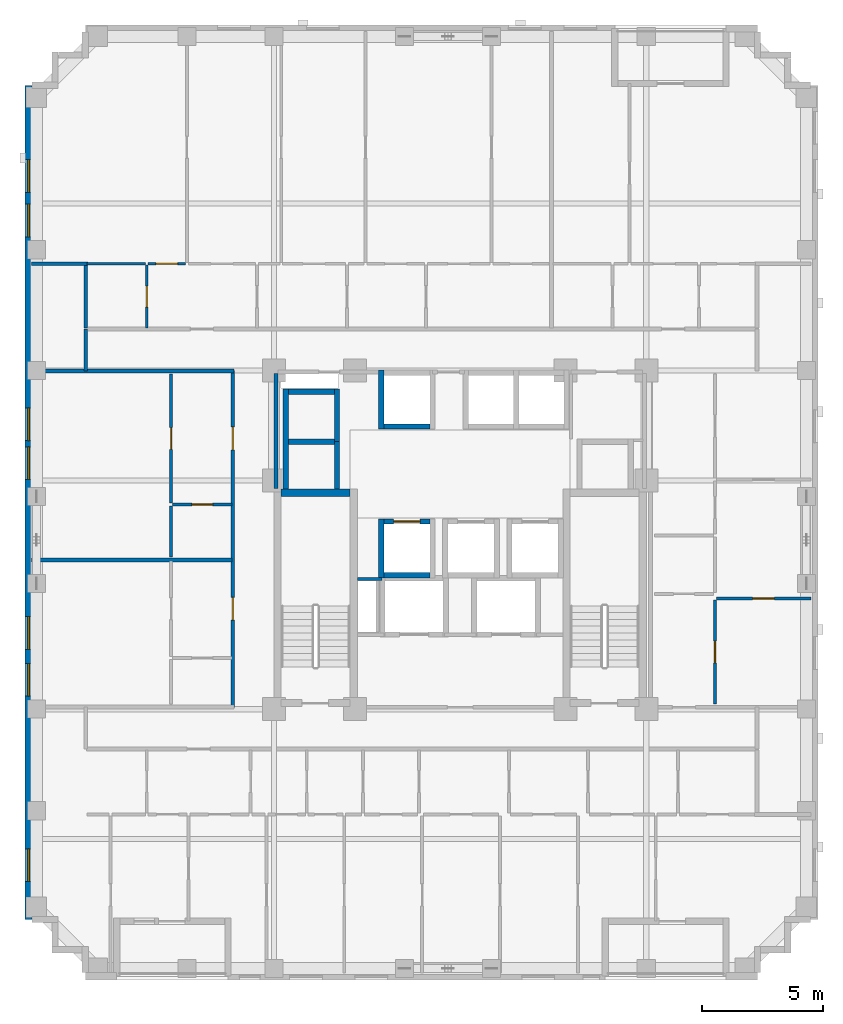
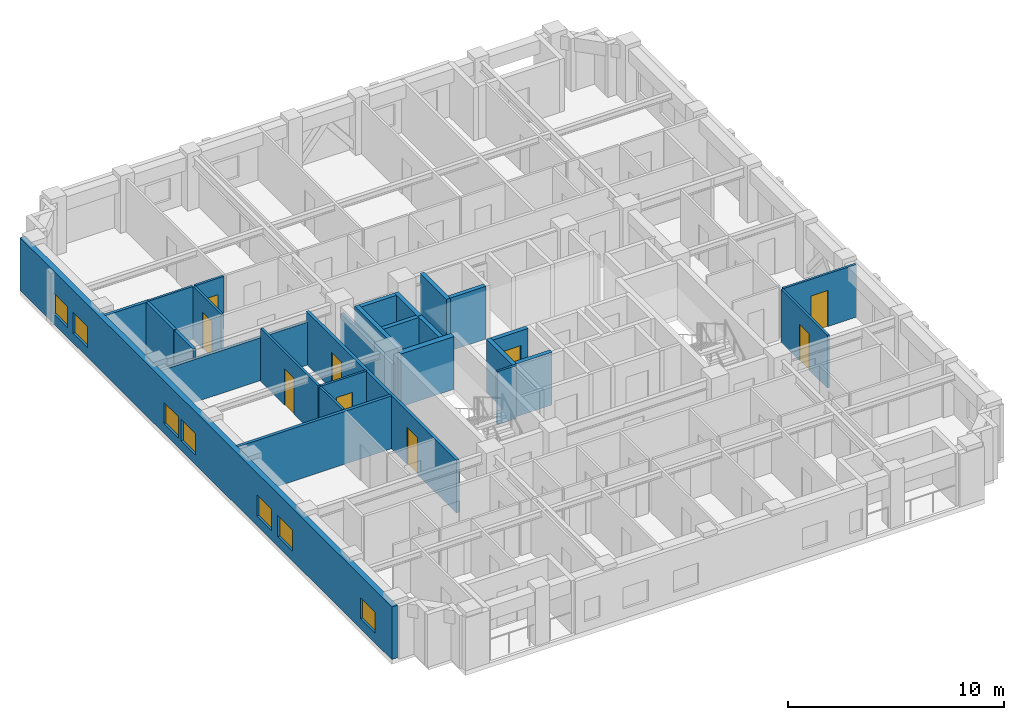
# One storey, part 5 of 12: 28 walls, 9 doors, 7 windows, 16 openings.
"""IFC4 building model written with IfcOpenShell, lengths in metres."""

from ifc_helpers import new_model, si_unit, derived_unit, direction, frame, frame_2d, origin, place, context, subcontext, project, spatial, rectangle, extrude, material, layer, layer_set, type_object, element, fill, save


model = new_model("IFC4")

# Units and contexts
model_context = context("Model", 3, precision=1e-05, world=origin(), true_north=direction((0.0, 1.0)))
body_context = subcontext(model_context, "Body", "Model", "MODEL_VIEW")
ifc_project = project(units=[si_unit("LENGTHUNIT", "METRE"), si_unit("AREAUNIT", "SQUARE_METRE"), si_unit("VOLUMEUNIT", "CUBIC_METRE"), si_unit("PLANEANGLEUNIT", "RADIAN"), si_unit("MASSUNIT", "GRAM", prefix="KILO"), derived_unit("THERMALTRANSMITTANCEUNIT", [(si_unit("MASSUNIT", "GRAM", prefix="KILO"), 1), (si_unit("TIMEUNIT", "SECOND"), -3), (si_unit("THERMODYNAMICTEMPERATUREUNIT", "KELVIN"), -1)])], contexts=[model_context])

# Site, building, storey
site_placement = place(None, origin())
site = spatial("IfcSite", under=ifc_project, at=site_placement, CompositionType="ELEMENT")
building_placement = place(site_placement, origin())
building = spatial("IfcBuilding", under=site, at=building_placement, Name="Korrvale Station Residences", CompositionType="ELEMENT")
storey_placement = place(building_placement, frame((0.0, 0.0, 127.64990234375)))
storey = spatial("IfcBuildingStorey", under=building, at=storey_placement, Name="L36", CompositionType="ELEMENT", Elevation=127.64990234375)

# Wall
ifc_material_1 = material(Name="Concrete C60/75", Category="concrete")
ifc_layer_1 = layer(ifc_material_1, 0.300048828125, Name="Concrete C60/75")
ifc_layer_set_1 = layer_set([ifc_layer_1], Name="Concrete C60/75")
wall_type_1 = type_object("IfcWallType", Name="WAL-CORE-300-C60", PredefinedType="SHEAR", material=ifc_layer_set_1)
wall_1_placement = place(storey_placement, frame((18.10009765625, 23.949951171875, 0.0), z_axis=(0.0, 0.0, 1.0), x_axis=(1.0, 0.0, 0.0)))
element("IfcWall", 1, at=wall_1_placement, inside=storey, type_object=wall_type_1, Name="L36 ST-1 Core Shear Wall North", PredefinedType="SHEAR", context=body_context, shape_type="SweptSolid", body=[
    extrude(rectangle(XDim=2.849853515625, YDim=0.300048828125, at=frame_2d((1.4248046875, 0.0))), origin(), (0.0, 0.0, 1.0), 2.989990234375),
])

# Wall, openings, windows
ifc_material_2 = material(Name="Precast concrete C45/55", Category="concrete")
ifc_layer_2 = layer(ifc_material_2, 0.300048828125, Name="Precast concrete C45/55")
ifc_layer_set_2 = layer_set([ifc_layer_2], Name="Precast concrete C45/55")
wall_type_2 = type_object("IfcWallType", Name="WAL-EXT-PC300", PredefinedType="SOLIDWALL", material=ifc_layer_set_2)
wall_2_placement = place(storey_placement, frame((7.64990234375, 6.300048828125, 0.0), z_axis=(0.0, 0.0, 1.0), x_axis=(0.0, 1.0, 0.0)))
wall_2 = element("IfcWall", 2, at=wall_2_placement, inside=storey, type_object=wall_type_2, Name="L36 West Exterior Precast Wall 1", PredefinedType="SOLIDWALL", context=body_context, shape_type="SweptSolid", body=[
    extrude(rectangle(XDim=34.5, YDim=0.300048828125, at=frame_2d((17.25, 0.0))), origin(), (0.0, 0.0, 1.0), 2.989990234375),
])
opening_1_placement = place(wall_2_placement, frame((1.574951171875, 0.0, 0.550048828125)))
opening_1 = element("IfcOpeningElement", 3, at=opening_1_placement, cuts=wall_2, Name="Opening W-10", PredefinedType="OPENING", context=body_context, shape_type="SweptSolid", body=[
    extrude(rectangle(XDim=1.35009765625, YDim=1.199951171875, at=frame_2d((0.675048828125, 0.60009765625))), frame((0.0, 0.16015625, 0.0), z_axis=(0.0, -1.0, 0.0), x_axis=(1.0, 0.0, 0.0)), (0.0, 0.0, 1.0), 0.320068359375),
])
opening_2_placement = place(wall_2_placement, frame((30.074951171875, 0.0, 0.550048828125)))
opening_2 = element("IfcOpeningElement", 4, at=opening_2_placement, cuts=wall_2, Name="Opening W-10", PredefinedType="OPENING", context=body_context, shape_type="SweptSolid", body=[
    extrude(rectangle(XDim=1.35009765625, YDim=1.199951171875, at=frame_2d((0.675048828125, 0.60009765625))), frame((0.0, 0.16015625, 0.0), z_axis=(0.0, -1.0, 0.0), x_axis=(1.0, 0.0, 0.0)), (0.0, 0.0, 1.0), 0.320068359375),
])
opening_3_placement = place(wall_2_placement, frame((28.235107421875, 0.0, 0.550048828125)))
opening_3 = element("IfcOpeningElement", 5, at=opening_3_placement, cuts=wall_2, Name="Opening W-10", PredefinedType="OPENING", context=body_context, shape_type="SweptSolid", body=[
    extrude(rectangle(XDim=1.35009765625, YDim=1.199951171875, at=frame_2d((0.675048828125, 0.60009765625))), frame((0.0, 0.16015625, 0.0), z_axis=(0.0, -1.0, 0.0), x_axis=(1.0, 0.0, 0.0)), (0.0, 0.0, 1.0), 0.320068359375),
])
opening_4_placement = place(wall_2_placement, frame((11.175048828125, 0.0, 0.550048828125)))
opening_4 = element("IfcOpeningElement", 6, at=opening_4_placement, cuts=wall_2, Name="Opening W-10", PredefinedType="OPENING", context=body_context, shape_type="SweptSolid", body=[
    extrude(rectangle(XDim=1.35009765625, YDim=1.199951171875, at=frame_2d((0.675048828125, 0.60009765625))), frame((0.0, 0.16015625, 0.0), z_axis=(0.0, -1.0, 0.0), x_axis=(1.0, 0.0, 0.0)), (0.0, 0.0, 1.0), 0.320068359375),
])
opening_5_placement = place(wall_2_placement, frame((9.235107421875, 0.0, 0.550048828125)))
opening_5 = element("IfcOpeningElement", 7, at=opening_5_placement, cuts=wall_2, Name="Opening W-10", PredefinedType="OPENING", context=body_context, shape_type="SweptSolid", body=[
    extrude(rectangle(XDim=1.35009765625, YDim=1.199951171875, at=frame_2d((0.675048828125, 0.60009765625))), frame((0.0, 0.16015625, 0.0), z_axis=(0.0, -1.0, 0.0), x_axis=(1.0, 0.0, 0.0)), (0.0, 0.0, 1.0), 0.320068359375),
])
opening_6_placement = place(wall_2_placement, frame((18.199951171875, 0.0, 0.550048828125)))
opening_6 = element("IfcOpeningElement", 8, at=opening_6_placement, cuts=wall_2, Name="Opening W-10", PredefinedType="OPENING", context=body_context, shape_type="SweptSolid", body=[
    extrude(rectangle(XDim=1.35009765625, YDim=1.199951171875, at=frame_2d((0.675048828125, 0.60009765625))), frame((0.0, 0.16015625, 0.0), z_axis=(0.0, -1.0, 0.0), x_axis=(1.0, 0.0, 0.0)), (0.0, 0.0, 1.0), 0.320068359375),
])
opening_7_placement = place(wall_2_placement, frame((19.81005859375, 0.0, 0.550048828125)))
opening_7 = element("IfcOpeningElement", 9, at=opening_7_placement, cuts=wall_2, Name="Opening W-10", PredefinedType="OPENING", context=body_context, shape_type="SweptSolid", body=[
    extrude(rectangle(XDim=1.35009765625, YDim=1.199951171875, at=frame_2d((0.675048828125, 0.60009765625))), frame((0.0, 0.16015625, 0.0), z_axis=(0.0, -1.0, 0.0), x_axis=(1.0, 0.0, 0.0)), (0.0, 0.0, 1.0), 0.320068359375),
])
ifc_material_3 = material(Name="Thermally broken aluminium frame with triple low-e glazing", Category="aluminium")
window_type = type_object("IfcWindowType", Name="WIN-W10", PartitioningType="SINGLE_PANEL", PredefinedType="WINDOW", material=ifc_material_3)
window_1_placement = place(opening_1_placement, origin())
window_1 = element("IfcWindow", 10, at=window_1_placement, inside=storey, type_object=window_type, Name="L36 Punched Window 01", OverallHeight=1.199951171875, OverallWidth=1.35009765625, PartitioningType="SINGLE_PANEL", PredefinedType="WINDOW", context=body_context, shape_type="SweptSolid", body=[
    extrude(rectangle(XDim=1.35009765625, YDim=1.199951171875, at=frame_2d((0.675048828125, 0.60009765625))), frame((0.0, 0.030029296875, 0.0), z_axis=(0.0, -1.0, 0.0), x_axis=(1.0, 0.0, 0.0)), (0.0, 0.0, 1.0), 0.06005859375),
])
fill(opening_1, window_1)
window_2_placement = place(opening_2_placement, origin())
window_2 = element("IfcWindow", 11, at=window_2_placement, inside=storey, type_object=window_type, Name="L36 Punched Window 09", OverallHeight=1.199951171875, OverallWidth=1.35009765625, PartitioningType="SINGLE_PANEL", PredefinedType="WINDOW", context=body_context, shape_type="SweptSolid", body=[
    extrude(rectangle(XDim=1.35009765625, YDim=1.199951171875, at=frame_2d((0.675048828125, 0.60009765625))), frame((0.0, 0.030029296875, 0.0), z_axis=(0.0, -1.0, 0.0), x_axis=(1.0, 0.0, 0.0)), (0.0, 0.0, 1.0), 0.06005859375),
])
fill(opening_2, window_2)
window_3_placement = place(opening_3_placement, origin())
window_3 = element("IfcWindow", 12, at=window_3_placement, inside=storey, type_object=window_type, Name="L36 Punched Window 10", OverallHeight=1.199951171875, OverallWidth=1.35009765625, PartitioningType="SINGLE_PANEL", PredefinedType="WINDOW", context=body_context, shape_type="SweptSolid", body=[
    extrude(rectangle(XDim=1.35009765625, YDim=1.199951171875, at=frame_2d((0.675048828125, 0.60009765625))), frame((0.0, 0.030029296875, 0.0), z_axis=(0.0, -1.0, 0.0), x_axis=(1.0, 0.0, 0.0)), (0.0, 0.0, 1.0), 0.06005859375),
])
fill(opening_3, window_3)
window_4_placement = place(opening_4_placement, origin())
window_4 = element("IfcWindow", 13, at=window_4_placement, inside=storey, type_object=window_type, Name="L36 Punched Window 17", OverallHeight=1.199951171875, OverallWidth=1.35009765625, PartitioningType="SINGLE_PANEL", PredefinedType="WINDOW", context=body_context, shape_type="SweptSolid", body=[
    extrude(rectangle(XDim=1.35009765625, YDim=1.199951171875, at=frame_2d((0.675048828125, 0.60009765625))), frame((0.0, 0.030029296875, 0.0), z_axis=(0.0, -1.0, 0.0), x_axis=(1.0, 0.0, 0.0)), (0.0, 0.0, 1.0), 0.06005859375),
])
fill(opening_4, window_4)
window_5_placement = place(opening_5_placement, origin())
window_5 = element("IfcWindow", 14, at=window_5_placement, inside=storey, type_object=window_type, Name="L36 Punched Window 18", OverallHeight=1.199951171875, OverallWidth=1.35009765625, PartitioningType="SINGLE_PANEL", PredefinedType="WINDOW", context=body_context, shape_type="SweptSolid", body=[
    extrude(rectangle(XDim=1.35009765625, YDim=1.199951171875, at=frame_2d((0.675048828125, 0.60009765625))), frame((0.0, 0.030029296875, 0.0), z_axis=(0.0, -1.0, 0.0), x_axis=(1.0, 0.0, 0.0)), (0.0, 0.0, 1.0), 0.06005859375),
])
fill(opening_5, window_5)
window_6_placement = place(opening_6_placement, origin())
window_6 = element("IfcWindow", 15, at=window_6_placement, inside=storey, type_object=window_type, Name="L36 Punched Window 19", OverallHeight=1.199951171875, OverallWidth=1.35009765625, PartitioningType="SINGLE_PANEL", PredefinedType="WINDOW", context=body_context, shape_type="SweptSolid", body=[
    extrude(rectangle(XDim=1.35009765625, YDim=1.199951171875, at=frame_2d((0.675048828125, 0.60009765625))), frame((0.0, 0.030029296875, 0.0), z_axis=(0.0, -1.0, 0.0), x_axis=(1.0, 0.0, 0.0)), (0.0, 0.0, 1.0), 0.06005859375),
])
fill(opening_6, window_6)
window_7_placement = place(opening_7_placement, origin())
window_7 = element("IfcWindow", 16, at=window_7_placement, inside=storey, type_object=window_type, Name="L36 Punched Window 20", OverallHeight=1.199951171875, OverallWidth=1.35009765625, PartitioningType="SINGLE_PANEL", PredefinedType="WINDOW", context=body_context, shape_type="SweptSolid", body=[
    extrude(rectangle(XDim=1.35009765625, YDim=1.199951171875, at=frame_2d((0.675048828125, 0.60009765625))), frame((0.0, 0.030029296875, 0.0), z_axis=(0.0, -1.0, 0.0), x_axis=(1.0, 0.0, 0.0)), (0.0, 0.0, 1.0), 0.06005859375),
])
fill(opening_7, window_7)

# Wall
ifc_material_4 = material(Name="Acoustic steel-stud gypsum board partition", Category="steel")
ifc_layer_3 = layer(ifc_material_4, 0.1201171875, Name="Acoustic steel-stud gypsum board partition")
ifc_layer_set_3 = layer_set([ifc_layer_3], Name="Acoustic steel-stud gypsum board partition")
wall_type_3 = type_object("IfcWallType", Name="WAL-PART-125", PredefinedType="PARTITIONING", material=ifc_layer_set_3)
wall_3_placement = place(storey_placement, frame((22.280029296875, 20.3798828125, 0.0), z_axis=(0.0, 0.0, 1.0), x_axis=(-1.0, 0.0, 0.0)))
element("IfcWall", 17, at=wall_3_placement, inside=storey, type_object=wall_type_3, Name="L36 Core Partition CW-RSWT-N", PredefinedType="PARTITIONING", context=body_context, shape_type="SweptSolid", body=[
    extrude(rectangle(XDim=1.02001953125, YDim=0.1201171875, at=frame_2d((0.510009765625, 0.0))), origin(), (0.0, 0.0, 1.0), 2.989990234375),
])

# Wall, opening, door
wall_4_placement = place(storey_placement, frame((12.5400390625, 30.760009765625, 0.0), z_axis=(0.0, 0.0, 1.0), x_axis=(0.0, 1.0, 0.0)))
wall_4 = element("IfcWall", 18, at=wall_4_placement, inside=storey, type_object=wall_type_3, Name="L36 Suite Partition U02-V01", PredefinedType="PARTITIONING", context=body_context, shape_type="SweptSolid", body=[
    extrude(rectangle(XDim=2.60009765625, YDim=0.1201171875, at=frame_2d((1.300048828125, 0.0))), origin(), (0.0, 0.0, 1.0), 2.989990234375),
])
opening_8_placement = place(wall_4_placement, frame((0.8701171875, 0.0, 0.0)))
opening_8 = element("IfcOpeningElement", 19, at=opening_8_placement, cuts=wall_4, Name="Opening DB-860", PredefinedType="OPENING", context=body_context, shape_type="SweptSolid", body=[
    extrude(rectangle(XDim=0.860107421875, YDim=2.050048828125, at=frame_2d((0.43017578125, 1.02490234375))), frame((0.0, 0.070068359375, 0.0), z_axis=(0.0, -1.0, 0.0), x_axis=(1.0, 0.0, 0.0)), (0.0, 0.0, 1.0), 0.14013671875),
])
ifc_material_5 = material(Name="Moisture-resistant solid-core bathroom door", Category="timber")
door_type_1 = type_object("IfcDoorType", Name="DR-BATH-860", OperationType="NOTDEFINED", PredefinedType="DOOR", material=ifc_material_5)
door_1_placement = place(opening_8_placement, origin())
door_1 = element("IfcDoor", 20, at=door_1_placement, inside=storey, type_object=door_type_1, Name="L36 Apartment 1BR L36-U02 Bathroom Door", OperationType="SINGLE_SWING_LEFT", OverallHeight=2.050048828125, OverallWidth=0.860107421875, PredefinedType="DOOR", context=body_context, shape_type="SweptSolid", body=[
    extrude(rectangle(XDim=0.860107421875, YDim=2.050048828125, at=frame_2d((0.43017578125, 1.02490234375))), frame((0.0, 0.02490234375, 0.0), z_axis=(0.0, -1.0, 0.0), x_axis=(1.0, 0.0, 0.0)), (0.0, 0.0, 1.0), 0.050048828125),
])
fill(opening_8, door_1)

# Wall
wall_5_placement = place(storey_placement, frame((10.080078125, 33.419921875, 0.0), z_axis=(0.0, 0.0, 1.0), x_axis=(1.0, 0.0, 0.0)))
element("IfcWall", 21, at=wall_5_placement, inside=storey, type_object=wall_type_3, Name="L36 Suite Partition U02-H05", PredefinedType="PARTITIONING", context=body_context, shape_type="SweptSolid", body=[
    extrude(rectangle(XDim=2.39990234375, YDim=0.1201171875, at=frame_2d((1.199951171875, 0.0))), origin(), (0.0, 0.0, 1.0), 2.989990234375),
])

# Wall, opening, door
wall_6_placement = place(storey_placement, frame((12.60009765625, 33.419921875, 0.0), z_axis=(0.0, 0.0, 1.0), x_axis=(1.0, 0.0, 0.0)))
wall_6 = element("IfcWall", 22, at=wall_6_placement, inside=storey, type_object=wall_type_3, Name="L36 Suite Partition U02-H15", PredefinedType="PARTITIONING", context=body_context, shape_type="SweptSolid", body=[
    extrude(rectangle(XDim=1.539794921875, YDim=0.1201171875, at=frame_2d((0.77001953125, 0.0))), origin(), (0.0, 0.0, 1.0), 2.989990234375),
])
opening_9_placement = place(wall_6_placement, frame((0.320068359375, 0.0, 0.0)))
opening_9 = element("IfcOpeningElement", 23, at=opening_9_placement, cuts=wall_6, Name="Opening DI-900", PredefinedType="OPENING", context=body_context, shape_type="SweptSolid", body=[
    extrude(rectangle(XDim=0.89990234375, YDim=2.050048828125, at=frame_2d((0.449951171875, 1.02490234375))), frame((0.0, 0.070068359375, 0.0), z_axis=(0.0, -1.0, 0.0), x_axis=(1.0, 0.0, 0.0)), (0.0, 0.0, 1.0), 0.14013671875),
])
ifc_material_6 = material(Name="Painted solid-core timber interior room door", Category="wood")
door_type_2 = type_object("IfcDoorType", Name="DR-INT-900", OperationType="NOTDEFINED", PredefinedType="DOOR", material=ifc_material_6)
door_2_placement = place(opening_9_placement, origin())
door_2 = element("IfcDoor", 24, at=door_2_placement, inside=storey, type_object=door_type_2, Name="L36 Apartment 1BR L36-U02 Kitchen Door", OperationType="SINGLE_SWING_LEFT", OverallHeight=2.050048828125, OverallWidth=0.89990234375, PredefinedType="DOOR", context=body_context, shape_type="SweptSolid", body=[
    extrude(rectangle(XDim=0.89990234375, YDim=2.050048828125, at=frame_2d((0.449951171875, 1.02490234375))), frame((0.0, 0.02490234375, 0.0), z_axis=(0.0, -1.0, 0.0), x_axis=(1.0, 0.0, 0.0)), (0.0, 0.0, 1.0), 0.050048828125),
])
fill(opening_9, door_2)

wall_7_placement = place(storey_placement, frame((13.610107421875, 23.467041015625, 0.0), z_axis=(0.0, 0.0, 1.0), x_axis=(1.0, 0.0, 0.0)))
wall_7 = element("IfcWall", 25, at=wall_7_placement, inside=storey, type_object=wall_type_3, Name="L36 Suite Partition U05-H01", PredefinedType="PARTITIONING", context=body_context, shape_type="SweptSolid", body=[
    extrude(rectangle(XDim=2.449951171875, YDim=0.1201171875, at=frame_2d((1.22509765625, 0.0))), origin(), (0.0, 0.0, 1.0), 2.989990234375),
])
opening_10_placement = place(wall_7_placement, frame((0.794921875, 0.0, 0.0)))
opening_10 = element("IfcOpeningElement", 26, at=opening_10_placement, cuts=wall_7, Name="Opening DB-860", PredefinedType="OPENING", context=body_context, shape_type="SweptSolid", body=[
    extrude(rectangle(XDim=0.860107421875, YDim=2.050048828125, at=frame_2d((0.43017578125, 1.02490234375))), frame((0.0, 0.070068359375, 0.0), z_axis=(0.0, -1.0, 0.0), x_axis=(1.0, 0.0, 0.0)), (0.0, 0.0, 1.0), 0.14013671875),
])
door_3_placement = place(opening_10_placement, origin())
door_3 = element("IfcDoor", 27, at=door_3_placement, inside=storey, type_object=door_type_1, Name="L36 Apartment 1BR L36-U05 Bathroom Door", OperationType="SINGLE_SWING_RIGHT", OverallHeight=2.050048828125, OverallWidth=0.860107421875, PredefinedType="DOOR", context=body_context, shape_type="SweptSolid", body=[
    extrude(rectangle(XDim=0.860107421875, YDim=2.050048828125, at=frame_2d((0.43017578125, 1.02490234375))), frame((0.0, 0.02490234375, 0.0), z_axis=(0.0, -1.0, 0.0), x_axis=(1.0, 0.0, 0.0)), (0.0, 0.0, 1.0), 0.050048828125),
])
fill(opening_10, door_3)

# Wall
wall_8_placement = place(storey_placement, frame((13.550048828125, 21.285888671875, 0.0), z_axis=(0.0, 0.0, 1.0), x_axis=(0.0, 1.0, 0.0)))
element("IfcWall", 28, at=wall_8_placement, inside=storey, type_object=wall_type_3, Name="L36 Suite Partition U05-V02", PredefinedType="PARTITIONING", context=body_context, shape_type="SweptSolid", body=[
    extrude(rectangle(XDim=2.12109375, YDim=0.1201171875, at=frame_2d((1.060546875, 0.0))), origin(), (0.0, 0.0, 1.0), 2.989990234375),
])

# Wall, opening, door
wall_9_placement = place(storey_placement, frame((13.550048828125, 23.527099609375, 0.0), z_axis=(0.0, 0.0, 1.0), x_axis=(0.0, 1.0, 0.0)))
wall_9 = element("IfcWall", 29, at=wall_9_placement, inside=storey, type_object=wall_type_3, Name="L36 Suite Partition U05-V12", PredefinedType="PARTITIONING", context=body_context, shape_type="SweptSolid", body=[
    extrude(rectangle(XDim=5.3330078125, YDim=0.1201171875, at=frame_2d((2.66650390625, 0.0))), origin(), (0.0, 0.0, 1.0), 2.989990234375),
])
opening_11_placement = place(wall_9_placement, frame((2.216064453125, 0.0, 0.0)))
opening_11 = element("IfcOpeningElement", 30, at=opening_11_placement, cuts=wall_9, Name="Opening DI-900", PredefinedType="OPENING", context=body_context, shape_type="SweptSolid", body=[
    extrude(rectangle(XDim=0.89990234375, YDim=2.050048828125, at=frame_2d((0.449951171875, 1.02490234375))), frame((0.0, 0.070068359375, 0.0), z_axis=(0.0, -1.0, 0.0), x_axis=(1.0, 0.0, 0.0)), (0.0, 0.0, 1.0), 0.14013671875),
])
door_4_placement = place(opening_11_placement, origin())
door_4 = element("IfcDoor", 31, at=door_4_placement, inside=storey, type_object=door_type_2, Name="L36 Apartment 1BR L36-U05 Kitchen Door", OperationType="SINGLE_SWING_LEFT", OverallHeight=2.050048828125, OverallWidth=0.89990234375, PredefinedType="DOOR", context=body_context, shape_type="SweptSolid", body=[
    extrude(rectangle(XDim=0.89990234375, YDim=2.050048828125, at=frame_2d((0.449951171875, 1.02490234375))), frame((0.0, 0.02490234375, 0.0), z_axis=(0.0, -1.0, 0.0), x_axis=(1.0, 0.0, 0.0)), (0.0, 0.0, 1.0), 0.050048828125),
])
fill(opening_11, door_4)

wall_10_placement = place(storey_placement, frame((36.0400390625, 15.2099609375, 0.0), z_axis=(0.0, 0.0, 1.0), x_axis=(0.0, 1.0, 0.0)))
wall_10 = element("IfcWall", 32, at=wall_10_placement, inside=storey, type_object=wall_type_3, Name="L36 Suite Partition U06-V23", PredefinedType="PARTITIONING", context=body_context, shape_type="SweptSolid", body=[
    extrude(rectangle(XDim=4.30810546875, YDim=0.1201171875, at=frame_2d((2.154052734375, 0.0))), origin(), (0.0, 0.0, 1.0), 2.989990234375),
])
opening_12_placement = place(wall_10_placement, frame((1.7041015625, 0.0, 0.0)))
opening_12 = element("IfcOpeningElement", 33, at=opening_12_placement, cuts=wall_10, Name="Opening DI-900", PredefinedType="OPENING", context=body_context, shape_type="SweptSolid", body=[
    extrude(rectangle(XDim=0.89990234375, YDim=2.050048828125, at=frame_2d((0.449951171875, 1.02490234375))), frame((0.0, 0.070068359375, 0.0), z_axis=(0.0, -1.0, 0.0), x_axis=(1.0, 0.0, 0.0)), (0.0, 0.0, 1.0), 0.14013671875),
])
door_5_placement = place(opening_12_placement, origin())
door_5 = element("IfcDoor", 34, at=door_5_placement, inside=storey, type_object=door_type_2, Name="L36 Apartment 2BR L36-U06 Kitchen Door", OperationType="SINGLE_SWING_RIGHT", OverallHeight=2.050048828125, OverallWidth=0.89990234375, PredefinedType="DOOR", context=body_context, shape_type="SweptSolid", body=[
    extrude(rectangle(XDim=0.89990234375, YDim=2.050048828125, at=frame_2d((0.449951171875, 1.02490234375))), frame((0.0, 0.02490234375, 0.0), z_axis=(0.0, -1.0, 0.0), x_axis=(1.0, 0.0, 0.0)), (0.0, 0.0, 1.0), 0.050048828125),
])
fill(opening_12, door_5)

wall_11_placement = place(storey_placement, frame((36.10009765625, 19.577880859375, 0.0), z_axis=(0.0, 0.0, 1.0), x_axis=(1.0, 0.0, 0.0)))
wall_11 = element("IfcWall", 35, at=wall_11_placement, inside=storey, type_object=wall_type_3, Name="L36 Suite Partition U06-H34", PredefinedType="PARTITIONING", context=body_context, shape_type="SweptSolid", body=[
    extrude(rectangle(XDim=3.919921875, YDim=0.1201171875, at=frame_2d((1.9599609375, 0.0))), origin(), (0.0, 0.0, 1.0), 2.989990234375),
])
opening_13_placement = place(wall_11_placement, frame((1.4951171875, 0.0, 0.0)))
opening_13 = element("IfcOpeningElement", 36, at=opening_13_placement, cuts=wall_11, Name="Opening DI-900", PredefinedType="OPENING", context=body_context, shape_type="SweptSolid", body=[
    extrude(rectangle(XDim=0.89990234375, YDim=2.050048828125, at=frame_2d((0.449951171875, 1.02490234375))), frame((0.0, 0.070068359375, 0.0), z_axis=(0.0, -1.0, 0.0), x_axis=(1.0, 0.0, 0.0)), (0.0, 0.0, 1.0), 0.14013671875),
])
door_6_placement = place(opening_13_placement, origin())
door_6 = element("IfcDoor", 37, at=door_6_placement, inside=storey, type_object=door_type_2, Name="L36 Apartment 2BR L36-U06 Bedroom 1 Door", OperationType="SINGLE_SWING_LEFT", OverallHeight=2.050048828125, OverallWidth=0.89990234375, PredefinedType="DOOR", context=body_context, shape_type="SweptSolid", body=[
    extrude(rectangle(XDim=0.89990234375, YDim=2.050048828125, at=frame_2d((0.449951171875, 1.02490234375))), frame((0.0, 0.02490234375, 0.0), z_axis=(0.0, -1.0, 0.0), x_axis=(1.0, 0.0, 0.0)), (0.0, 0.0, 1.0), 0.050048828125),
])
fill(opening_13, door_6)

# Walls
ifc_material_7 = material(Name="Fire-rated twin-stud gypsum and mineral wool shaftwall assembly", Category="gypsum")
ifc_layer_4 = layer(ifc_material_7, 0.159912109375, Name="Fire-rated twin-stud gypsum and mineral wool shaftwall assembly")
ifc_layer_set_4 = layer_set([ifc_layer_4], Name="Fire-rated twin-stud gypsum and mineral wool shaftwall assembly")
wall_type_4 = type_object("IfcWallType", Name="WAL-PART-200", PredefinedType="PARTITIONING", material=ifc_layer_set_4)
wall_12_placement = place(storey_placement, frame((17.8798828125, 24.1201171875, 0.0), z_axis=(0.0, 0.0, 1.0), x_axis=(0.0, 1.0, 0.0)))
element("IfcWall", 38, at=wall_12_placement, inside=storey, type_object=wall_type_4, Name="L36 Core Partition CW-W-N", PredefinedType="PARTITIONING", context=body_context, shape_type="SweptSolid", body=[
    extrude(rectangle(XDim=4.759765625, YDim=0.159912109375, at=frame_2d((2.3798828125, 0.0))), origin(), (0.0, 0.0, 1.0), 2.3251953125),
])
wall_13_placement = place(storey_placement, frame((10.02001953125, 28.97998046875, 0.0), z_axis=(0.0, 0.0, 1.0), x_axis=(0.0, 1.0, 0.0)))
element("IfcWall", 39, at=wall_13_placement, inside=storey, type_object=wall_type_4, Name="L36 Corridor North West Cap", PredefinedType="PARTITIONING", context=body_context, shape_type="SweptSolid", body=[
    extrude(rectangle(XDim=1.739990234375, YDim=0.159912109375, at=frame_2d((0.8701171875, 0.0))), origin(), (0.0, 0.0, 1.0), 2.989990234375),
])
wall_14_placement = place(storey_placement, frame((7.780029296875, 28.97998046875, 0.0), z_axis=(0.0, 0.0, 1.0), x_axis=(1.0, 0.0, 0.0)))
element("IfcWall", 40, at=wall_14_placement, inside=storey, type_object=wall_type_4, Name="L36 West Wing North Corridor Wall", PredefinedType="PARTITIONING", context=body_context, shape_type="SweptSolid", body=[
    extrude(rectangle(XDim=8.35986328125, YDim=0.159912109375, at=frame_2d((4.179931640625, 0.0))), origin(), (0.0, 0.0, 1.0), 2.426025390625),
])
wall_15_placement = place(storey_placement, frame((7.780029296875, 33.419921875, 0.0), z_axis=(0.0, 0.0, 1.0), x_axis=(1.0, 0.0, 0.0)))
element("IfcWall", 41, at=wall_15_placement, inside=storey, type_object=wall_type_4, Name="L36 Corner Step Wall U02-L", PredefinedType="PARTITIONING", context=body_context, shape_type="SweptSolid", body=[
    extrude(rectangle(XDim=2.340087890625, YDim=0.159912109375, at=frame_2d((1.169921875, 0.0))), origin(), (0.0, 0.0, 1.0), 2.989990234375),
])
wall_16_placement = place(storey_placement, frame((10.02001953125, 30.760009765625, 0.0), z_axis=(0.0, 0.0, 1.0), x_axis=(0.0, 1.0, 0.0)))
element("IfcWall", 42, at=wall_16_placement, inside=storey, type_object=wall_type_4, Name="L36 Corner Step Cheek U02-L", PredefinedType="PARTITIONING", context=body_context, shape_type="SweptSolid", body=[
    extrude(rectangle(XDim=2.659912109375, YDim=0.159912109375, at=frame_2d((1.330078125, 0.0))), origin(), (0.0, 0.0, 1.0), 2.989990234375),
])
wall_17_placement = place(storey_placement, frame((7.780029296875, 21.166015625, 0.0), z_axis=(0.0, 0.0, 1.0), x_axis=(1.0, 0.0, 0.0)))
element("IfcWall", 43, at=wall_17_placement, inside=storey, type_object=wall_type_4, Name="L36 Demising Wall U04-N", PredefinedType="PARTITIONING", context=body_context, shape_type="SweptSolid", body=[
    extrude(rectangle(XDim=8.280029296875, YDim=0.159912109375, at=frame_2d((4.14013671875, 0.0))), origin(), (0.0, 0.0, 1.0), 2.989990234375),
])

# Wall, openings, doors
wall_18_placement = place(storey_placement, frame((16.10009765625, 15.070068359375, 0.0), z_axis=(0.0, 0.0, 1.0), x_axis=(0.0, 1.0, 0.0)))
wall_18 = element("IfcWall", 44, at=wall_18_placement, inside=storey, type_object=wall_type_4, Name="L36 Rated Corridor Wall W", PredefinedType="PARTITIONING", context=body_context, shape_type="SweptSolid", body=[
    extrude(rectangle(XDim=13.929931640625, YDim=0.159912109375, at=frame_2d((6.96484375, 0.0))), origin(), (0.0, 0.0, 1.0), 2.989990234375),
])
opening_14_placement = place(wall_18_placement, frame((3.60791015625, 0.0, 0.0)))
opening_14 = element("IfcOpeningElement", 45, at=opening_14_placement, cuts=wall_18, Name="Opening UD-950", PredefinedType="OPENING", context=body_context, shape_type="SweptSolid", body=[
    extrude(rectangle(XDim=0.949951171875, YDim=2.10009765625, at=frame_2d((0.47509765625, 1.050048828125))), frame((0.0, 0.08984375, 0.0), z_axis=(0.0, -1.0, 0.0), x_axis=(1.0, 0.0, 0.0)), (0.0, 0.0, 1.0), 0.179931640625),
])
opening_15_placement = place(wall_18_placement, frame((10.64892578125, 0.0, 0.0)))
opening_15 = element("IfcOpeningElement", 46, at=opening_15_placement, cuts=wall_18, Name="Opening UD-950", PredefinedType="OPENING", context=body_context, shape_type="SweptSolid", body=[
    extrude(rectangle(XDim=0.949951171875, YDim=2.10009765625, at=frame_2d((0.47509765625, 1.050048828125))), frame((0.0, 0.08984375, 0.0), z_axis=(0.0, -1.0, 0.0), x_axis=(1.0, 0.0, 0.0)), (0.0, 0.0, 1.0), 0.179931640625),
])
ifc_material_8 = material(Name="Solid-core acoustic oak apartment entrance door", Category="timber")
door_type_3 = type_object("IfcDoorType", Name="DR-UNIT-950", OperationType="NOTDEFINED", PredefinedType="DOOR", material=ifc_material_8)
door_7_placement = place(opening_14_placement, origin())
door_7 = element("IfcDoor", 47, at=door_7_placement, inside=storey, type_object=door_type_3, Name="L36 Apartment L36-U04 Entrance Door", OperationType="SINGLE_SWING_RIGHT", OverallHeight=2.10009765625, OverallWidth=0.949951171875, PredefinedType="DOOR", context=body_context, shape_type="SweptSolid", body=[
    extrude(rectangle(XDim=0.949951171875, YDim=2.10009765625, at=frame_2d((0.47509765625, 1.050048828125))), frame((0.0, 0.02490234375, 0.0), z_axis=(0.0, -1.0, 0.0), x_axis=(1.0, 0.0, 0.0)), (0.0, 0.0, 1.0), 0.050048828125),
])
fill(opening_14, door_7)
door_8_placement = place(opening_15_placement, origin())
door_8 = element("IfcDoor", 48, at=door_8_placement, inside=storey, type_object=door_type_3, Name="L36 Apartment L36-U05 Entrance Door", OperationType="SINGLE_SWING_LEFT", OverallHeight=2.10009765625, OverallWidth=0.949951171875, PredefinedType="DOOR", context=body_context, shape_type="SweptSolid", body=[
    extrude(rectangle(XDim=0.949951171875, YDim=2.10009765625, at=frame_2d((0.47509765625, 1.050048828125))), frame((0.0, 0.02490234375, 0.0), z_axis=(0.0, -1.0, 0.0), x_axis=(1.0, 0.0, 0.0)), (0.0, 0.0, 1.0), 0.050048828125),
])
fill(opening_15, door_8)

# Walls
ifc_layer_5 = layer(ifc_material_1, 0.219970703125, Name="Concrete C60/75")
ifc_layer_set_5 = layer_set([ifc_layer_5], Name="Concrete C60/75")
wall_type_5 = type_object("IfcWallType", Name="WAL-SHAFT-220-C60", PredefinedType="SHEAR", material=ifc_layer_set_5)
wall_19_placement = place(storey_placement, frame((22.35009765625, 26.68994140625, 0.0), z_axis=(0.0, 0.0, 1.0), x_axis=(1.0, 0.0, 0.0)))
element("IfcWall", 49, at=wall_19_placement, inside=storey, type_object=wall_type_5, Name="L36 Elevator PL-1 Hoistway Wall South", PredefinedType="SHEAR", context=body_context, shape_type="SweptSolid", body=[
    extrude(rectangle(XDim=1.89990234375, YDim=0.219970703125, at=frame_2d((0.949951171875, 0.0))), origin(), (0.0, 0.0, 1.0), 2.989990234375),
])
wall_20_placement = place(storey_placement, frame((22.239990234375, 26.580078125, 0.0), z_axis=(0.0, 0.0, 1.0), x_axis=(0.0, 1.0, 0.0)))
element("IfcWall", 50, at=wall_20_placement, inside=storey, type_object=wall_type_5, Name="L36 Elevator PL-1 Hoistway Wall West", PredefinedType="SHEAR", context=body_context, shape_type="SweptSolid", body=[
    extrude(rectangle(XDim=2.43994140625, YDim=0.219970703125, at=frame_2d((1.219970703125, 0.0))), origin(), (0.0, 0.0, 1.0), 2.989990234375),
])
wall_21_placement = place(storey_placement, frame((22.35009765625, 20.5400390625, 0.0), z_axis=(0.0, 0.0, 1.0), x_axis=(1.0, 0.0, 0.0)))
element("IfcWall", 51, at=wall_21_placement, inside=storey, type_object=wall_type_5, Name="L36 Elevator PM-1 Hoistway Wall South", PredefinedType="SHEAR", context=body_context, shape_type="SweptSolid", body=[
    extrude(rectangle(XDim=1.89990234375, YDim=0.219970703125, at=frame_2d((0.949951171875, 0.0))), origin(), (0.0, 0.0, 1.0), 2.989990234375),
])

# Wall, opening, door
wall_22_placement = place(storey_placement, frame((22.35009765625, 22.760009765625, 0.0), z_axis=(0.0, 0.0, 1.0), x_axis=(1.0, 0.0, 0.0)))
wall_22 = element("IfcWall", 52, at=wall_22_placement, inside=storey, type_object=wall_type_5, Name="L36 Elevator PM-1 Hoistway Wall North", PredefinedType="SHEAR", context=body_context, shape_type="SweptSolid", body=[
    extrude(rectangle(XDim=1.89990234375, YDim=0.219970703125, at=frame_2d((0.949951171875, 0.0))), origin(), (0.0, 0.0, 1.0), 2.989990234375),
])
opening_16_placement = place(wall_22_placement, frame((0.39990234375, 0.0, 0.0)))
opening_16 = element("IfcOpeningElement", 53, at=opening_16_placement, cuts=wall_22, Name="Opening LD-1100", PredefinedType="OPENING", context=body_context, shape_type="SweptSolid", body=[
    extrude(rectangle(XDim=1.10009765625, YDim=2.14990234375, at=frame_2d((0.550048828125, 1.074951171875))), frame((0.0, 0.1201171875, 0.0), z_axis=(0.0, -1.0, 0.0), x_axis=(1.0, 0.0, 0.0)), (0.0, 0.0, 1.0), 0.239990234375),
])
ifc_material_9 = material(Name="Brushed stainless-steel elevator landing sliding door", Category="steel")
door_type_4 = type_object("IfcDoorType", Name="DR-LIFT-1100", OperationType="SLIDING_TO_LEFT", PredefinedType="DOOR", material=ifc_material_9)
door_9_placement = place(opening_16_placement, origin())
door_9 = element("IfcDoor", 54, at=door_9_placement, inside=storey, type_object=door_type_4, Name="L36 Elevator PM-1 Sliding Landing Door", OperationType="SLIDING_TO_LEFT", OverallHeight=2.14990234375, OverallWidth=1.10009765625, PredefinedType="DOOR", context=body_context, shape_type="SweptSolid", body=[
    extrude(rectangle(XDim=1.10009765625, YDim=2.14990234375, at=frame_2d((0.550048828125, 1.074951171875))), frame((0.0, 0.02490234375, 0.0), z_axis=(0.0, -1.0, 0.0), x_axis=(1.0, 0.0, 0.0)), (0.0, 0.0, 1.0), 0.050048828125),
])
fill(opening_16, door_9)

# Walls
wall_23_placement = place(storey_placement, frame((22.239990234375, 20.429931640625, 0.0), z_axis=(0.0, 0.0, 1.0), x_axis=(0.0, 1.0, 0.0)))
element("IfcWall", 55, at=wall_23_placement, inside=storey, type_object=wall_type_5, Name="L36 Elevator PM-1 Hoistway Wall West", PredefinedType="SHEAR", context=body_context, shape_type="SweptSolid", body=[
    extrude(rectangle(XDim=2.440185546875, YDim=0.219970703125, at=frame_2d((1.22021484375, 0.0))), origin(), (0.0, 0.0, 1.0), 2.989990234375),
])
wall_24_placement = place(storey_placement, frame((18.2900390625, 24.10009765625, 0.0), z_axis=(0.0, 0.0, 1.0), x_axis=(0.0, 1.0, 0.0)))
element("IfcWall", 56, at=wall_24_placement, inside=storey, type_object=wall_type_5, Name="L36 Elevator PH-1 Hoistway Wall West", PredefinedType="SHEAR", context=body_context, shape_type="SweptSolid", body=[
    extrude(rectangle(XDim=4.139892578125, YDim=0.219970703125, at=frame_2d((2.06982421875, 0.0))), origin(), (0.0, 0.0, 1.0), 2.989990234375),
])
wall_25_placement = place(storey_placement, frame((20.409912109375, 24.10009765625, 0.0), z_axis=(0.0, 0.0, 1.0), x_axis=(0.0, 1.0, 0.0)))
element("IfcWall", 57, at=wall_25_placement, inside=storey, type_object=wall_type_5, Name="L36 Elevator PH-1 Hoistway Wall East", PredefinedType="SHEAR", context=body_context, shape_type="SweptSolid", body=[
    extrude(rectangle(XDim=1.9599609375, YDim=0.219970703125, at=frame_2d((0.97998046875, 0.0))), origin(), (0.0, 0.0, 1.0), 2.989990234375),
])
for number, where, z_axis, x_axis, name in (
    (58, (18.39990234375, 26.06005859375, 0.0), (0.0, 0.0, 1.0), (1.0, 0.0, 0.0), "L36 Elevator PH-2 Hoistway Wall South"),
    (59, (18.39990234375, 28.1298828125, 0.0), (0.0, 0.0, 1.0), (1.0, 0.0, 0.0), "L36 Elevator PH-2 Hoistway Wall North"),
):
    element("IfcWall", number, at=place(storey_placement, frame(where, z_axis=z_axis, x_axis=x_axis)), inside=storey, type_object=wall_type_5, Name=name, PredefinedType="SHEAR", context=body_context, shape_type="SweptSolid", body=[
        extrude(rectangle(XDim=1.900146484375, YDim=0.219970703125, at=frame_2d((0.9501953125, 0.0))), origin(), (0.0, 0.0, 1.0), 2.989990234375),
    ])
wall_26_placement = place(storey_placement, frame((20.409912109375, 26.06005859375, 0.0), z_axis=(0.0, 0.0, 1.0), x_axis=(0.0, 1.0, 0.0)))
element("IfcWall", 60, at=wall_26_placement, inside=storey, type_object=wall_type_5, Name="L36 Elevator PH-2 Hoistway Wall East", PredefinedType="SHEAR", context=body_context, shape_type="SweptSolid", body=[
    extrude(rectangle(XDim=2.179931640625, YDim=0.219970703125, at=frame_2d((1.08984375, 0.0))), origin(), (0.0, 0.0, 1.0), 2.989990234375),
])

save(model, "model.ifc")
